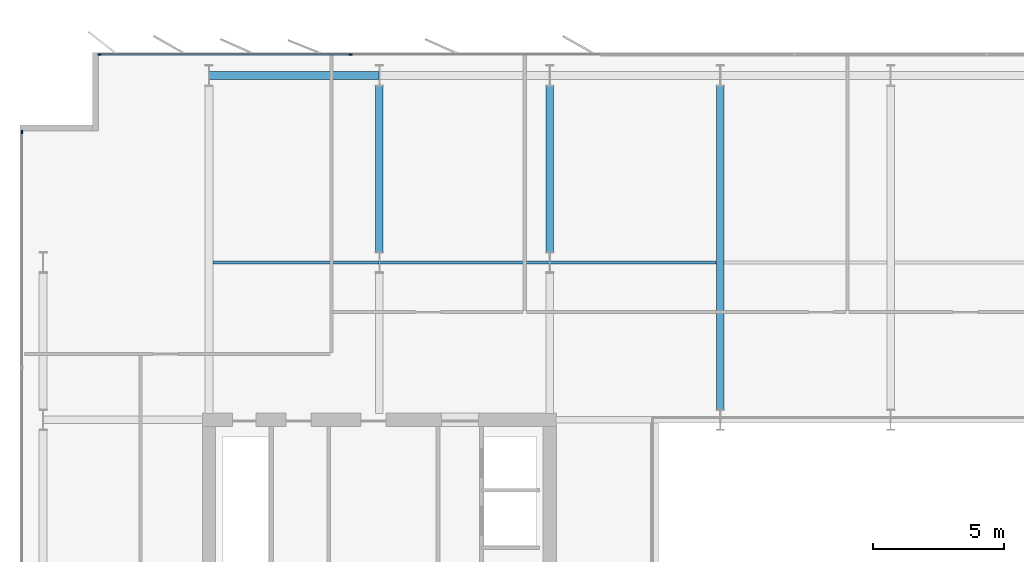
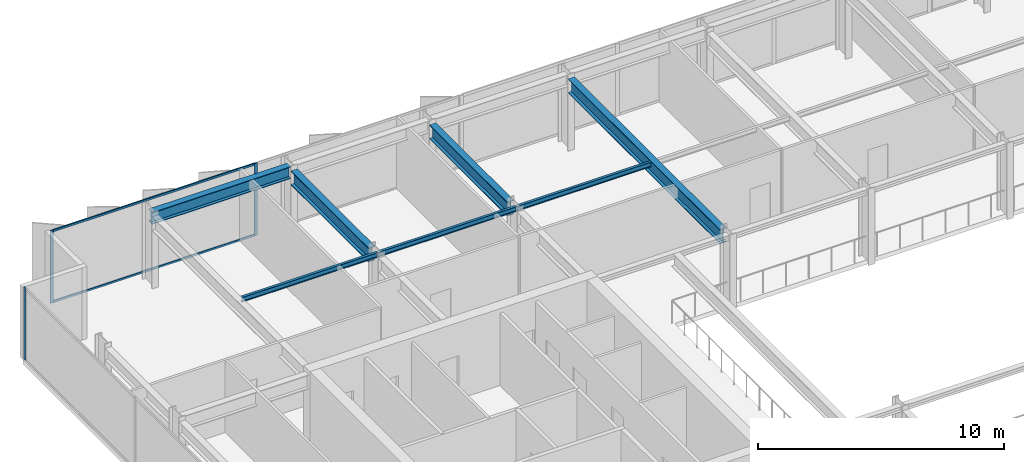
# One storey, part 10 of 24: 7 beams, 5 members, 2 elements without a shape of their own.
"""IFC4 building model written with IfcOpenShell, lengths in metres."""

from ifc_helpers import new_model, si_unit, direction, frame, origin, origin_2d, place, context, subcontext, project, spatial, rectangle, i_section, extrude, material, layer, layer_set, material_profile, profile_set, type_object, element, aggregate, save


model = new_model("IFC4")

# Units and contexts
model_context = context("Model", 3, precision=1e-05, world=origin(), true_north=direction((0.0, 1.0)))
body_context = subcontext(model_context, "Body", "Model", "MODEL_VIEW")
ifc_project = project(units=[si_unit("LENGTHUNIT", "METRE"), si_unit("AREAUNIT", "SQUARE_METRE"), si_unit("VOLUMEUNIT", "CUBIC_METRE"), si_unit("PLANEANGLEUNIT", "RADIAN"), si_unit("MASSUNIT", "GRAM", prefix="KILO")], contexts=[model_context])

# Site, building, storey
site_placement = place(None, origin())
site = spatial("IfcSite", under=ifc_project, at=site_placement, CompositionType="ELEMENT")
building_placement = place(site_placement, origin())
building = spatial("IfcBuilding", under=site, at=building_placement, Name="Putna Gate Headquarters", CompositionType="ELEMENT")
storey_placement = place(building_placement, frame((0.0, 0.0, 240.39990234375)))
storey = spatial("IfcBuildingStorey", under=building, at=storey_placement, Name="L60", CompositionType="ELEMENT", Elevation=240.39990234375)

# Beams
ifc_material_1 = material(Name="Steel S355J2", Category="steel")
ifc_material_profile_1 = material_profile(ifc_material_1, i_section(OverallWidth=0.300048828125, OverallDepth=0.699951171875, WebThickness=0.01708984375, FlangeThickness=0.031982421875, at=origin_2d()), Name="Steel S355J2")
ifc_profile_set_1 = profile_set([ifc_material_profile_1], Name="Steel S355J2")
beam_type_1 = type_object("IfcBeamType", Name="BM-GIRD-B-HEB700", PredefinedType="USERDEFINED", material=ifc_profile_set_1)
for number, where, z_axis, x_axis, name in (
    (1, (19.5, 39.39501953125, 3.22998046875), (0.0, 1.0, 0.0), (-1.0, 0.0, 0.0), "L60 North Primary Girder X19-2"),
    (2, (26.0, 39.39501953125, 3.22998046875), (0.0, 1.0, 0.0), (-1.0, 0.0, 0.0), "L60 North Primary Girder X26-2"),
):
    element("IfcBeam", number, at=place(storey_placement, frame(where, z_axis=z_axis, x_axis=x_axis)), inside=storey, type_object=beam_type_1, Name=name, ObjectType="GIRDER", PredefinedType="USERDEFINED", context=body_context, shape_type="SweptSolid", body=[
        extrude(i_section(OverallWidth=0.300048828125, OverallDepth=0.699951171875, WebThickness=0.01708984375, FlangeThickness=0.031982421875, at=origin_2d()), origin(), (0.0, 0.0, 1.0), 6.330078125),
    ])
beam_1_placement = place(storey_placement, frame((32.5, 33.39501953125, 3.22998046875), z_axis=(0.0, 1.0, 0.0), x_axis=(-1.0, 0.0, 0.0)))
element("IfcBeam", 3, at=beam_1_placement, inside=storey, type_object=beam_type_1, Name="L60 North Primary Girder X32", ObjectType="GIRDER", PredefinedType="USERDEFINED", context=body_context, shape_type="SweptSolid", body=[
    extrude(i_section(OverallWidth=0.300048828125, OverallDepth=0.699951171875, WebThickness=0.01708984375, FlangeThickness=0.031982421875, at=origin_2d()), origin(), (0.0, 0.0, 1.0), 12.330078125),
])
ifc_material_profile_2 = material_profile(ifc_material_1, i_section(OverallWidth=0.1201171875, OverallDepth=0.239990234375, WebThickness=0.006103515625, FlangeThickness=0.009765625, at=origin_2d()), Name="Steel S355J2")
ifc_profile_set_2 = profile_set([ifc_material_profile_2], Name="Steel S355J2")
beam_type_2 = type_object("IfcBeamType", Name="BM-SEC-Z4-IPE240", PredefinedType="JOIST", material=ifc_profile_set_2)
beam_2_placement = place(storey_placement, frame((13.154052734375, 39.0, 3.460205078125), z_axis=(1.0, 0.0, 0.0), x_axis=(0.0, 1.0, 0.0)))
element("IfcBeam", 4, at=beam_2_placement, inside=storey, type_object=beam_type_2, Name="L60 North Secondary Beam 1", PredefinedType="JOIST", context=body_context, shape_type="SweptSolid", body=[
    extrude(i_section(OverallWidth=0.1201171875, OverallDepth=0.239990234375, WebThickness=0.006103515625, FlangeThickness=0.009765625, at=origin_2d()), origin(), (0.0, 0.0, 1.0), 6.33984375),
])
beam_3_placement = place(storey_placement, frame((19.506103515625, 39.0, 3.460205078125), z_axis=(1.0, 0.0, 0.0), x_axis=(0.0, 1.0, 0.0)))
element("IfcBeam", 5, at=beam_3_placement, inside=storey, type_object=beam_type_2, Name="L60 North Secondary Beam 2", PredefinedType="JOIST", context=body_context, shape_type="SweptSolid", body=[
    extrude(i_section(OverallWidth=0.1201171875, OverallDepth=0.239990234375, WebThickness=0.006103515625, FlangeThickness=0.009765625, at=origin_2d()), origin(), (0.0, 0.0, 1.0), 6.48779296875),
])
beam_4_placement = place(storey_placement, frame((26.006103515625, 39.0, 3.460205078125), z_axis=(1.0, 0.0, 0.0), x_axis=(0.0, 1.0, 0.0)))
element("IfcBeam", 6, at=beam_4_placement, inside=storey, type_object=beam_type_2, Name="L60 North Secondary Beam 3", PredefinedType="JOIST", context=body_context, shape_type="SweptSolid", body=[
    extrude(i_section(OverallWidth=0.1201171875, OverallDepth=0.239990234375, WebThickness=0.006103515625, FlangeThickness=0.009765625, at=origin_2d()), origin(), (0.0, 0.0, 1.0), 6.33984375),
])
ifc_material_profile_3 = material_profile(ifc_material_1, i_section(OverallWidth=0.300048828125, OverallDepth=0.590087890625, WebThickness=0.012939453125, FlangeThickness=0.02490234375, at=origin_2d()), Name="Steel S355J2")
ifc_profile_set_3 = profile_set([ifc_material_profile_3], Name="Steel S355J2")
beam_type_3 = type_object("IfcBeamType", Name="BM-SPAN-Z4-HEA600", PredefinedType="SPANDREL", material=ifc_profile_set_3)
beam_5_placement = place(storey_placement, frame((13.006103515625, 46.1201171875, 3.28515625), z_axis=(1.0, 0.0, 0.0), x_axis=(0.0, 1.0, 0.0)))
element("IfcBeam", 7, at=beam_5_placement, inside=storey, type_object=beam_type_3, Name="L60 N Perimeter Spandrel 1", PredefinedType="SPANDREL", context=body_context, shape_type="SweptSolid", body=[
    extrude(i_section(OverallWidth=0.300048828125, OverallDepth=0.590087890625, WebThickness=0.012939453125, FlangeThickness=0.02490234375, at=origin_2d()), origin(), (0.0, 0.0, 1.0), 6.48779296875),
])

# Curtain wall, members
ifc_material_2 = material(Name="Anodised bronze aluminium curtain wall", Category="aluminium")
ifc_layer = layer(ifc_material_2, 0.139892578125)
ifc_layer_set = layer_set([ifc_layer], Name="Anodised bronze aluminium curtain wall")
curtain_wall_type = type_object("IfcCurtainWallType", Name="CW-SYS-Z4", PredefinedType="USERDEFINED", material=ifc_layer_set)
curtain_wall_1_placement = place(storey_placement, origin())
curtain_wall_1 = element("IfcCurtainWall", 8, at=curtain_wall_1_placement, inside=storey, type_object=curtain_wall_type, Name="L60 North West Curtain Wall", ObjectType="STICK CURTAIN WALL", PredefinedType="USERDEFINED")
ifc_material_3 = material(Name="Anodised bronze aluminium EN AW-6060", Category="aluminium")
ifc_material_profile_4 = material_profile(ifc_material_3, rectangle(XDim=0.06005859375, YDim=0.139892578125, at=origin_2d()), Name="Anodised bronze aluminium EN AW-6060")
ifc_profile_set_4 = profile_set([ifc_material_profile_4], Name="Anodised bronze aluminium EN AW-6060")
member_type_1 = type_object("IfcMemberType", Name="MULL-CWM-4", PredefinedType="MULLION", material=ifc_profile_set_4)
member_1_placement = place(storey_placement, frame((8.830078125, 46.919921875, 0.0), z_axis=(0.0, 0.0, 1.0), x_axis=(0.0, 1.0, 0.0)))
member_1 = element("IfcMember", 9, at=member_1_placement, type_object=member_type_1, Name="CWS-4 mullion 1", PredefinedType="MULLION", context=body_context, shape_type="SweptSolid", body=[
    extrude(rectangle(XDim=0.06005859375, YDim=0.139892578125, at=origin_2d()), origin(), (0.0, 0.0, 1.0), 3.580078125),
])
member_2_placement = place(storey_placement, frame((18.39990234375, 46.919921875, 0.0), z_axis=(0.0, 0.0, 1.0), x_axis=(0.0, 1.0, 0.0)))
member_2 = element("IfcMember", 10, at=member_2_placement, type_object=member_type_1, Name="CWS-4 mullion 2", PredefinedType="MULLION", context=body_context, shape_type="SweptSolid", body=[
    extrude(rectangle(XDim=0.06005859375, YDim=0.139892578125, at=origin_2d()), origin(), (0.0, 0.0, 1.0), 3.580078125),
])

# Curtain wall, member
curtain_wall_2_placement = place(storey_placement, origin())
curtain_wall_2 = element("IfcCurtainWall", 11, at=curtain_wall_2_placement, inside=storey, type_object=curtain_wall_type, Name="L60 West Curtain Wall", ObjectType="STICK CURTAIN WALL", PredefinedType="USERDEFINED")
member_3_placement = place(storey_placement, frame((5.8798828125, 43.969970703125, 0.0), z_axis=(0.0, 0.0, 1.0), x_axis=(-1.0, 0.0, 0.0)))
member_3 = element("IfcMember", 12, at=member_3_placement, type_object=member_type_1, Name="CWS-4 mullion 5", PredefinedType="MULLION", context=body_context, shape_type="SweptSolid", body=[
    extrude(rectangle(XDim=0.06005859375, YDim=0.139892578125, at=origin_2d()), origin(), (0.0, 0.0, 1.0), 3.580078125),
])
aggregate(curtain_wall_2, [member_3])

# Member
ifc_material_profile_5 = material_profile(ifc_material_3, rectangle(XDim=0.06005859375, YDim=0.10009765625, at=origin_2d()), Name="Anodised bronze aluminium EN AW-6060")
ifc_profile_set_5 = profile_set([ifc_material_profile_5], Name="Anodised bronze aluminium EN AW-6060")
member_type_2 = type_object("IfcMemberType", Name="TRAN-CWT-4", PredefinedType="USERDEFINED", material=ifc_profile_set_5)
member_4_placement = place(storey_placement, frame((8.860107421875, 46.919921875, 0.030029296875), z_axis=(1.0, 0.0, 0.0), x_axis=(0.0, 1.0, 0.0)))
member_4 = element("IfcMember", 13, at=member_4_placement, type_object=member_type_2, Name="CWS-4 transom 1.1", ObjectType="TRANSOM", PredefinedType="USERDEFINED", context=body_context, shape_type="SweptSolid", body=[
    extrude(rectangle(XDim=0.06005859375, YDim=0.10009765625, at=origin_2d()), origin(), (0.0, 0.0, 1.0), 9.510009765625),
])

member_5_placement = place(storey_placement, frame((8.860107421875, 46.919921875, 3.550048828125), z_axis=(1.0, 0.0, 0.0), x_axis=(0.0, 1.0, 0.0)))
member_5 = element("IfcMember", 14, at=member_5_placement, type_object=member_type_2, Name="CWS-4 transom 1.2", ObjectType="TRANSOM", PredefinedType="USERDEFINED", context=body_context, shape_type="SweptSolid", body=[
    extrude(rectangle(XDim=0.06005859375, YDim=0.10009765625, at=origin_2d()), origin(), (0.0, 0.0, 1.0), 9.510009765625),
])

aggregate(curtain_wall_1, [member_1, member_2, member_4, member_5])

save(model, "model.ifc")
